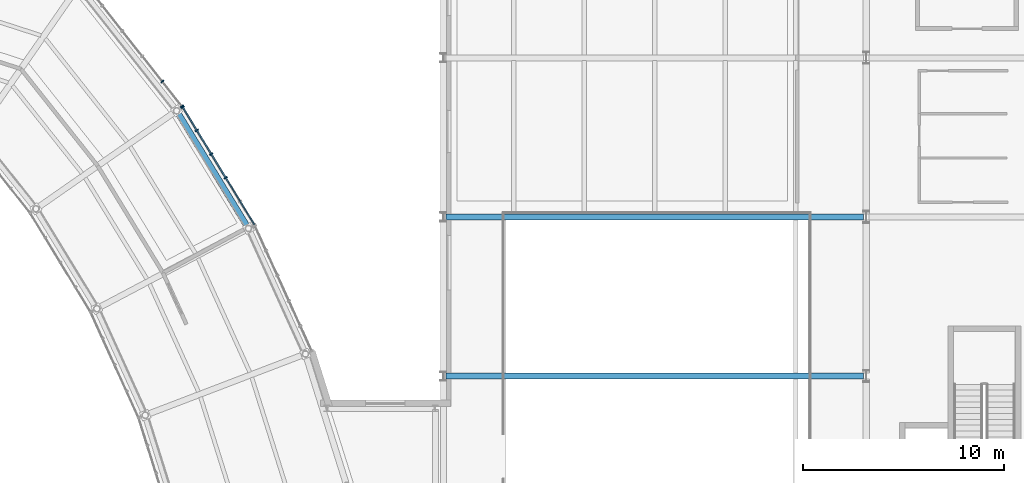
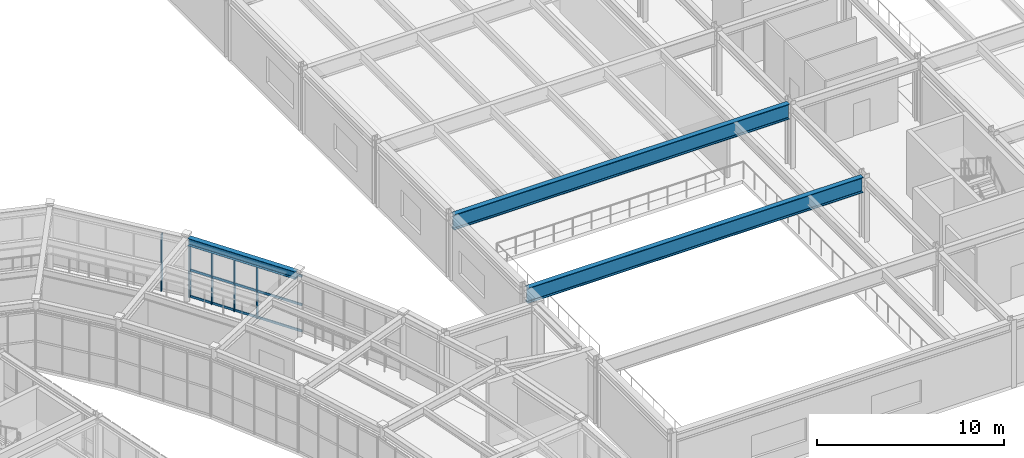
# One storey, part 51 of 103: 9 members, 3 beams, 2 elements without a shape of their own.
"""IFC4 building model written with IfcOpenShell, lengths in metres."""

from ifc_helpers import new_model, si_unit, direction, frame, origin, origin_2d, place, context, subcontext, project, spatial, rectangle, i_section, extrude, material, material_profile, profile_set, type_object, element, aggregate, save


model = new_model("IFC4")

# Units and contexts
model_context = context("Model", 3, precision=1e-05, world=origin(), true_north=direction((0.0, 1.0)))
body_context = subcontext(model_context, "Body", "Model", "MODEL_VIEW")
ifc_project = project(units=[si_unit("LENGTHUNIT", "METRE"), si_unit("AREAUNIT", "SQUARE_METRE"), si_unit("VOLUMEUNIT", "CUBIC_METRE"), si_unit("PLANEANGLEUNIT", "RADIAN"), si_unit("MASSUNIT", "GRAM", prefix="KILO")], contexts=[model_context])

# Site, building, storey
site_placement = place(None, origin())
site = spatial("IfcSite", under=ifc_project, at=site_placement, CompositionType="ELEMENT")
building_placement = place(site_placement, origin())
building = spatial("IfcBuilding", under=site, at=building_placement, Name="Varnklinge Art Gallery", CompositionType="ELEMENT")
storey_placement = place(building_placement, frame((0.0, 0.0, 5.10009765625)))
storey = spatial("IfcBuildingStorey", under=building, at=storey_placement, Name="L01", CompositionType="ELEMENT", Elevation=5.10009765625)

# Beams
ifc_material_1 = material(Name="Steel S355", Category="steel")
ifc_material_profile_1 = material_profile(ifc_material_1, i_section(OverallWidth=0.300048828125, OverallDepth=1.0, WebThickness=0.01904296875, FlangeThickness=0.035888671875, FilletRadius=0.030029296875, at=origin_2d()), Name="HEB 1000")
ifc_profile_set_1 = profile_set([ifc_material_profile_1], Name="Steel S355")
beam_type_1 = type_object("IfcBeamType", Name="BM-01", PredefinedType="BEAM", material=ifc_profile_set_1)
for number, where, z_axis, x_axis, name in (
    (1, (114.5400390625, 74.0, 3.669921875), (1.0, 0.0, 0.0), (0.0, 1.0, 0.0), "L01 BM-01 BM-V1-L02-X2-0"),
    (2, (114.5400390625, 81.89990234375, 3.669921875), (1.0, 0.0, 0.0), (0.0, 1.0, 0.0), "L01 BM-01 BM-V1-L02-X3-0"),
):
    element("IfcBeam", number, at=place(storey_placement, frame(where, z_axis=z_axis, x_axis=x_axis)), inside=storey, type_object=beam_type_1, Name=name, PredefinedType="BEAM", context=body_context, shape_type="SweptSolid", body=[
        extrude(i_section(OverallWidth=0.300048828125, OverallDepth=1.0, WebThickness=0.01904296875, FlangeThickness=0.035888671875, FilletRadius=0.030029296875, at=origin_2d()), origin(), (0.0, 0.0, 1.0), 20.719970703125),
    ])

# Curtain wall, members
ifc_material_2 = material(Name="Anodised Aluminium", Category="aluminium")
curtain_wall_type = type_object("IfcCurtainWallType", Name="CW-R02", PredefinedType="USERDEFINED", material=ifc_material_2)
curtain_wall_1_placement = place(storey_placement, origin())
curtain_wall_1 = element("IfcCurtainWall", 3, at=curtain_wall_1_placement, inside=storey, type_object=curtain_wall_type, Name="L01 Curtain Wall CW-V2O-L01-11", ObjectType="UNITISED CURTAIN WALL", PredefinedType="USERDEFINED")
ifc_material_3 = material(Name="Anodised Aluminium", Category="aluminium")
ifc_material_profile_2 = material_profile(ifc_material_3, rectangle(XDim=0.06494140625, YDim=0.179931640625, at=origin_2d()), Name="ALU 65x180")
ifc_profile_set_2 = profile_set([ifc_material_profile_2], Name="Anodised Aluminium")
member_type_1 = type_object("IfcMemberType", Name="MUL-01", PredefinedType="MULLION", material=ifc_profile_set_2)
member_1_placement = place(storey_placement, frame((103.590087890625, 83.846923828125, 0.0), z_axis=(0.0, 0.0, 1.0), x_axis=(-0.520860651188, 0.85364171761, 0.0)))
member_1 = element("IfcMember", 4, at=member_1_placement, type_object=member_type_1, Name="CW-V2O-L01-11 Mullion 3", PredefinedType="MULLION", context=body_context, shape_type="SweptSolid", body=[
    extrude(rectangle(XDim=0.06494140625, YDim=0.179931640625, at=origin_2d()), origin(), (0.0, 0.0, 1.0), 3.72998046875),
])
member_2_placement = place(storey_placement, frame((102.872314453125, 85.02294921875, 0.0), z_axis=(0.0, 0.0, 1.0), x_axis=(-0.520860651188, 0.85364171761, 0.0)))
member_2 = element("IfcMember", 5, at=member_2_placement, type_object=member_type_1, Name="CW-V2O-L01-11 Mullion 4", PredefinedType="MULLION", context=body_context, shape_type="SweptSolid", body=[
    extrude(rectangle(XDim=0.06494140625, YDim=0.179931640625, at=origin_2d()), origin(), (0.0, 0.0, 1.0), 3.72998046875),
])
member_3_placement = place(storey_placement, frame((102.15478515625, 86.198974609375, 0.0), z_axis=(0.0, 0.0, 1.0), x_axis=(-0.520860651188, 0.85364171761, 0.0)))
member_3 = element("IfcMember", 6, at=member_3_placement, type_object=member_type_1, Name="CW-V2O-L01-11 Mullion 5", PredefinedType="MULLION", context=body_context, shape_type="SweptSolid", body=[
    extrude(rectangle(XDim=0.06494140625, YDim=0.179931640625, at=origin_2d()), origin(), (0.0, 0.0, 1.0), 3.72998046875),
])
member_4_placement = place(storey_placement, frame((101.453857421875, 87.347412109375, 0.0), z_axis=(0.0, 0.0, 1.0), x_axis=(-0.520860651188, 0.85364171761, 0.0)))
member_4 = element("IfcMember", 7, at=member_4_placement, type_object=member_type_1, Name="CW-V2O-L01-11 Mullion 6", PredefinedType="MULLION", context=body_context, shape_type="SweptSolid", body=[
    extrude(rectangle(XDim=0.06494140625, YDim=0.179931640625, at=origin_2d()), origin(), (0.0, 0.0, 1.0), 3.72998046875),
])

curtain_wall_2_placement = place(storey_placement, origin())
curtain_wall_2 = element("IfcCurtainWall", 8, at=curtain_wall_2_placement, inside=storey, type_object=curtain_wall_type, Name="L01 Curtain Wall CW-V2O-L01-12", ObjectType="UNITISED CURTAIN WALL", PredefinedType="USERDEFINED")
member_5_placement = place(storey_placement, frame((101.416748046875, 87.400390625, 0.0), z_axis=(0.0, 0.0, 1.0), x_axis=(-0.620737354217, 0.784018582101, 0.0)))
member_5 = element("IfcMember", 9, at=member_5_placement, type_object=member_type_1, Name="CW-V2O-L01-12 Mullion 1", PredefinedType="MULLION", context=body_context, shape_type="SweptSolid", body=[
    extrude(rectangle(XDim=0.06494140625, YDim=0.179931640625, at=origin_2d()), origin(), (0.0, 0.0, 1.0), 3.72998046875),
])
member_6_placement = place(storey_placement, frame((100.443603515625, 88.62939453125, 0.0), z_axis=(0.0, 0.0, 1.0), x_axis=(-0.620737354217, 0.784018582101, 0.0)))
member_6 = element("IfcMember", 10, at=member_6_placement, type_object=member_type_1, Name="CW-V2O-L01-12 Mullion 2", PredefinedType="MULLION", context=body_context, shape_type="SweptSolid", body=[
    extrude(rectangle(XDim=0.06494140625, YDim=0.179931640625, at=origin_2d()), origin(), (0.0, 0.0, 1.0), 3.72998046875),
])
aggregate(curtain_wall_2, [member_5, member_6])

# Beam
ifc_material_4 = material(Name="Steel S355", Category="steel")
ifc_material_profile_3 = material_profile(ifc_material_4, i_section(OverallWidth=0.300048828125, OverallDepth=0.489990234375, WebThickness=0.011962890625, FlangeThickness=0.02294921875, FilletRadius=0.027099609375, at=origin_2d()), Name="HEA 500")
ifc_profile_set_3 = profile_set([ifc_material_profile_3], Name="Steel S355")
beam_type_2 = type_object("IfcBeamType", Name="SPB-01", PredefinedType="SPANDREL", material=ifc_profile_set_3)
beam_placement = place(storey_placement, frame((104.643310546875, 81.450439453125, 3.934814453125), z_axis=(-0.520911485476, 0.853610698327, 0.0), x_axis=(-0.853610698327, -0.520911485476, 0.0)))
element("IfcBeam", 11, at=beam_placement, inside=storey, type_object=beam_type_2, Name="L01 SPB-01 BM-V2-L02-O11", PredefinedType="SPANDREL", context=body_context, shape_type="SweptSolid", body=[
    extrude(i_section(OverallWidth=0.300048828125, OverallDepth=0.489990234375, WebThickness=0.011962890625, FlangeThickness=0.02294921875, FilletRadius=0.027099609375, at=origin_2d()), origin(), (0.0, 0.0, 1.0), 6.566162109375),
])

# Member
ifc_material_5 = material(Name="Anodised Aluminium", Category="aluminium")
ifc_material_profile_4 = material_profile(ifc_material_5, rectangle(XDim=0.06494140625, YDim=0.14990234375, at=origin_2d()), Name="ALU 65x150")
ifc_profile_set_4 = profile_set([ifc_material_profile_4], Name="Anodised Aluminium")
member_type_2 = type_object("IfcMemberType", Name="TRN-01", PredefinedType="USERDEFINED", material=ifc_profile_set_4)
member_7_placement = place(storey_placement, frame((105.008544921875, 81.5224609375, 0.074951171875), z_axis=(-0.520915902613, 0.853608002777, 0.0), x_axis=(-0.853608002777, -0.520915902613, 0.0)))
member_7 = element("IfcMember", 12, at=member_7_placement, type_object=member_type_2, Name="CW-V2O-L01-11 Transom 1", ObjectType="TRANSOM", PredefinedType="USERDEFINED", context=body_context, shape_type="SweptSolid", body=[
    extrude(rectangle(XDim=0.06494140625, YDim=0.14990234375, at=origin_2d()), origin(), (0.0, 0.0, 1.0), 6.823974609375),
])

member_8_placement = place(storey_placement, frame((105.008544921875, 81.5224609375, 1.790283203125), z_axis=(-0.520915902613, 0.853608002777, 0.0), x_axis=(-0.853608002777, -0.520915902613, 0.0)))
member_8 = element("IfcMember", 13, at=member_8_placement, type_object=member_type_2, Name="CW-V2O-L01-11 Transom 2", ObjectType="TRANSOM", PredefinedType="USERDEFINED", context=body_context, shape_type="SweptSolid", body=[
    extrude(rectangle(XDim=0.06494140625, YDim=0.14990234375, at=origin_2d()), origin(), (0.0, 0.0, 1.0), 6.823974609375),
])

member_9_placement = place(storey_placement, frame((105.008544921875, 81.5224609375, 3.65478515625), z_axis=(-0.520915902613, 0.853608002777, 0.0), x_axis=(-0.853608002777, -0.520915902613, 0.0)))
member_9 = element("IfcMember", 14, at=member_9_placement, type_object=member_type_2, Name="CW-V2O-L01-11 Transom 3", ObjectType="TRANSOM", PredefinedType="USERDEFINED", context=body_context, shape_type="SweptSolid", body=[
    extrude(rectangle(XDim=0.06494140625, YDim=0.14990234375, at=origin_2d()), origin(), (0.0, 0.0, 1.0), 6.823974609375),
])

aggregate(curtain_wall_1, [member_1, member_2, member_3, member_4, member_7, member_8, member_9])

save(model, "model.ifc")
